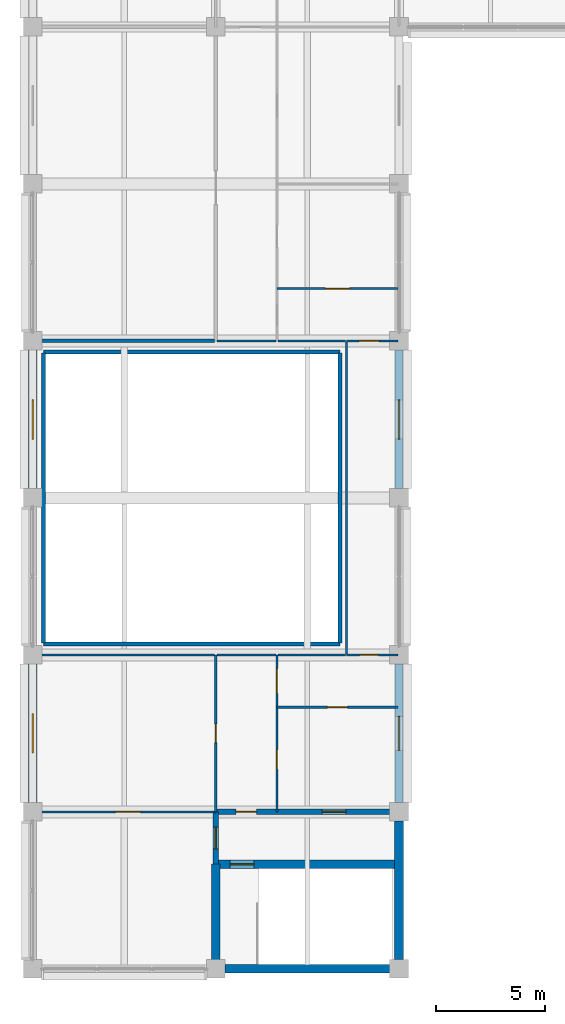
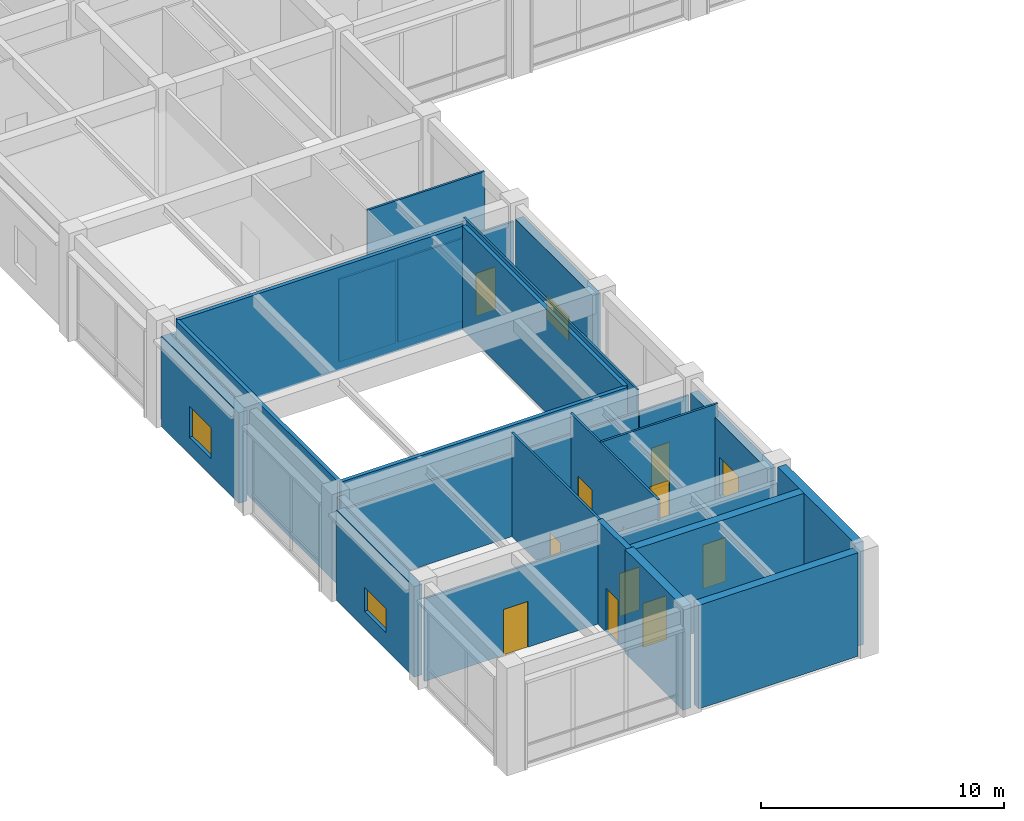
# One storey, part 31 of 58: 28 walls, 12 doors, 4 windows, 16 openings.
"""IFC4 building model written with IfcOpenShell, lengths in metres."""

from ifc_helpers import new_model, si_unit, direction, frame, frame_2d, origin, place, context, subcontext, project, spatial, rectangle, extrude, material, layer, layer_set, type_object, element, fill, save


model = new_model("IFC4")

# Units and contexts
model_context = context("Model", 3, precision=1e-05, world=origin(), true_north=direction((0.0, 1.0)))
body_context = subcontext(model_context, "Body", "Model", "MODEL_VIEW")
ifc_project = project(units=[si_unit("LENGTHUNIT", "METRE"), si_unit("AREAUNIT", "SQUARE_METRE"), si_unit("VOLUMEUNIT", "CUBIC_METRE"), si_unit("PLANEANGLEUNIT", "RADIAN"), si_unit("MASSUNIT", "GRAM", prefix="KILO")], contexts=[model_context])

# Site, building, storey
site_placement = place(None, origin())
site = spatial("IfcSite", under=ifc_project, at=site_placement, CompositionType="ELEMENT")
building_placement = place(site_placement, origin())
building = spatial("IfcBuilding", under=site, at=building_placement, Name="Chengyuan Square Courthouse", CompositionType="ELEMENT")
storey_placement = place(building_placement, frame((0.0, 0.0, 16.199951171875)))
storey = spatial("IfcBuildingStorey", under=building, at=storey_placement, Name="L04", CompositionType="ELEMENT", Elevation=16.199951171875)

# Wall, opening, window
ifc_material_1 = material(Name="Concrete C40", Category="concrete")
ifc_layer_1 = layer(ifc_material_1, 0.3798828125)
ifc_layer_set_1 = layer_set([ifc_layer_1], Name="Concrete C40")
wall_type_1 = type_object("IfcWallType", Name="WL-EW1", PredefinedType="STANDARD", material=ifc_layer_set_1)
wall_1_placement = place(storey_placement, frame((0.0, 43.6201171875, 0.0), z_axis=(0.0, 0.0, 1.0), x_axis=(0.0, 1.0, 0.0)))
wall_1 = element("IfcWall", 1, at=wall_1_placement, inside=storey, type_object=wall_type_1, Name="Exterior Wall WL-L04-E297", PredefinedType="STANDARD", context=body_context, shape_type="SweptSolid", body=[
    extrude(rectangle(XDim=6.35986328125, YDim=0.3798828125, at=frame_2d((3.179931640625, 0.0))), origin(), (0.0, 0.0, 1.0), 4.550048828125),
])
opening_1_placement = place(wall_1_placement, frame((2.280029296875, 0.0, 0.85009765625)))
opening_1 = element("IfcOpeningElement", 2, at=opening_1_placement, cuts=wall_1, Name="Opening WN-083", PredefinedType="OPENING", context=body_context, shape_type="SweptSolid", body=[
    extrude(rectangle(XDim=1.800048828125, YDim=1.199951171875, at=frame_2d((0.89990234375, 0.60009765625))), frame((0.0, 0.201904296875, 0.0), z_axis=(0.0, -1.0, 0.0), x_axis=(1.0, 0.0, 0.0)), (0.0, 0.0, 1.0), 0.40380859375),
])
ifc_material_2 = material(Name="Thermally Broken Aluminium Triple Low-E Window", Category="aluminium")
window_type_1 = type_object("IfcWindowType", Name="WT-31", PartitioningType="SINGLE_PANEL", PredefinedType="WINDOW", material=ifc_material_2)
window_1_placement = place(opening_1_placement, origin())
window_1 = element("IfcWindow", 3, at=window_1_placement, inside=storey, type_object=window_type_1, Name="Facade Window WN-083", OverallHeight=1.199951171875, OverallWidth=1.800048828125, PartitioningType="SINGLE_PANEL", PredefinedType="WINDOW", context=body_context, shape_type="SweptSolid", body=[
    extrude(rectangle(XDim=1.800048828125, YDim=1.199951171875, at=frame_2d((0.89990234375, 0.60009765625))), frame((0.0, 0.030029296875, 0.0), z_axis=(0.0, -1.0, 0.0), x_axis=(1.0, 0.0, 0.0)), (0.0, 0.0, 1.0), 0.06005859375),
])
fill(opening_1, window_1)

wall_2_placement = place(storey_placement, frame((0.0, 58.02001953125, 0.0), z_axis=(0.0, 0.0, 1.0), x_axis=(0.0, 1.0, 0.0)))
wall_2 = element("IfcWall", 4, at=wall_2_placement, inside=storey, type_object=wall_type_1, Name="Exterior Wall WL-L04-E298", PredefinedType="STANDARD", context=body_context, shape_type="SweptSolid", body=[
    extrude(rectangle(XDim=6.35986328125, YDim=0.3798828125, at=frame_2d((3.179931640625, 0.0))), origin(), (0.0, 0.0, 1.0), 4.550048828125),
])
opening_2_placement = place(wall_2_placement, frame((2.280029296875, 0.0, 0.85009765625)))
opening_2 = element("IfcOpeningElement", 5, at=opening_2_placement, cuts=wall_2, Name="Opening WN-084", PredefinedType="OPENING", context=body_context, shape_type="SweptSolid", body=[
    extrude(rectangle(XDim=1.800048828125, YDim=1.56005859375, at=frame_2d((0.89990234375, 0.780029296875))), frame((0.0, 0.201904296875, 0.0), z_axis=(0.0, -1.0, 0.0), x_axis=(1.0, 0.0, 0.0)), (0.0, 0.0, 1.0), 0.40380859375),
])
window_type_2 = type_object("IfcWindowType", Name="WT-33", PartitioningType="SINGLE_PANEL", PredefinedType="WINDOW", material=ifc_material_2)
window_2_placement = place(opening_2_placement, origin())
window_2 = element("IfcWindow", 6, at=window_2_placement, inside=storey, type_object=window_type_2, Name="Facade Window WN-084", OverallHeight=1.56005859375, OverallWidth=1.800048828125, PartitioningType="SINGLE_PANEL", PredefinedType="WINDOW", context=body_context, shape_type="SweptSolid", body=[
    extrude(rectangle(XDim=1.800048828125, YDim=1.56005859375, at=frame_2d((0.89990234375, 0.780029296875))), frame((0.0, 0.030029296875, 0.0), z_axis=(0.0, -1.0, 0.0), x_axis=(1.0, 0.0, 0.0)), (0.0, 0.0, 1.0), 0.06005859375),
])
fill(opening_2, window_2)

wall_3_placement = place(storey_placement, frame((16.800048828125, 43.6201171875, 0.0), z_axis=(0.0, 0.0, 1.0), x_axis=(0.0, 1.0, 0.0)))
wall_3 = element("IfcWall", 7, at=wall_3_placement, inside=storey, type_object=wall_type_1, Name="Exterior Wall WL-L04-E307", PredefinedType="STANDARD", context=body_context, shape_type="SweptSolid", body=[
    extrude(rectangle(XDim=6.35986328125, YDim=0.3798828125, at=frame_2d((3.179931640625, 0.0))), origin(), (0.0, 0.0, 1.0), 4.550048828125),
])
opening_3_placement = place(wall_3_placement, frame((2.405029296875, 0.0, 0.85009765625)))
opening_3 = element("IfcOpeningElement", 8, at=opening_3_placement, cuts=wall_3, Name="Opening WN-091", PredefinedType="OPENING", context=body_context, shape_type="SweptSolid", body=[
    extrude(rectangle(XDim=1.550048828125, YDim=1.919921875, at=frame_2d((0.77490234375, 0.9599609375))), frame((0.0, 0.201904296875, 0.0), z_axis=(0.0, -1.0, 0.0), x_axis=(1.0, 0.0, 0.0)), (0.0, 0.0, 1.0), 0.40380859375),
])
window_type_3 = type_object("IfcWindowType", Name="WT-29", PartitioningType="SINGLE_PANEL", PredefinedType="WINDOW", material=ifc_material_2)
window_3_placement = place(opening_3_placement, origin())
window_3 = element("IfcWindow", 9, at=window_3_placement, inside=storey, type_object=window_type_3, Name="Facade Window WN-091", OverallHeight=1.919921875, OverallWidth=1.550048828125, PartitioningType="SINGLE_PANEL", PredefinedType="WINDOW", context=body_context, shape_type="SweptSolid", body=[
    extrude(rectangle(XDim=1.550048828125, YDim=1.919921875, at=frame_2d((0.77490234375, 0.9599609375))), frame((0.0, 0.030029296875, 0.0), z_axis=(0.0, -1.0, 0.0), x_axis=(1.0, 0.0, 0.0)), (0.0, 0.0, 1.0), 0.06005859375),
])
fill(opening_3, window_3)

wall_4_placement = place(storey_placement, frame((16.800048828125, 58.02001953125, 0.0), z_axis=(0.0, 0.0, 1.0), x_axis=(0.0, 1.0, 0.0)))
wall_4 = element("IfcWall", 10, at=wall_4_placement, inside=storey, type_object=wall_type_1, Name="Exterior Wall WL-L04-E308", PredefinedType="STANDARD", context=body_context, shape_type="SweptSolid", body=[
    extrude(rectangle(XDim=6.35986328125, YDim=0.3798828125, at=frame_2d((3.179931640625, 0.0))), origin(), (0.0, 0.0, 1.0), 4.550048828125),
])
opening_4_placement = place(wall_4_placement, frame((2.280029296875, 0.0, 0.85009765625)))
opening_4 = element("IfcOpeningElement", 11, at=opening_4_placement, cuts=wall_4, Name="Opening WN-092", PredefinedType="OPENING", context=body_context, shape_type="SweptSolid", body=[
    extrude(rectangle(XDim=1.800048828125, YDim=1.199951171875, at=frame_2d((0.89990234375, 0.60009765625))), frame((0.0, 0.201904296875, 0.0), z_axis=(0.0, -1.0, 0.0), x_axis=(1.0, 0.0, 0.0)), (0.0, 0.0, 1.0), 0.40380859375),
])
window_4_placement = place(opening_4_placement, origin())
window_4 = element("IfcWindow", 12, at=window_4_placement, inside=storey, type_object=window_type_1, Name="Facade Window WN-092", OverallHeight=1.199951171875, OverallWidth=1.800048828125, PartitioningType="SINGLE_PANEL", PredefinedType="WINDOW", context=body_context, shape_type="SweptSolid", body=[
    extrude(rectangle(XDim=1.800048828125, YDim=1.199951171875, at=frame_2d((0.89990234375, 0.60009765625))), frame((0.0, 0.030029296875, 0.0), z_axis=(0.0, -1.0, 0.0), x_axis=(1.0, 0.0, 0.0)), (0.0, 0.0, 1.0), 0.06005859375),
])
fill(opening_4, window_4)

# Wall, openings, doors
ifc_layer_2 = layer(ifc_material_1, 0.25)
ifc_layer_set_2 = layer_set([ifc_layer_2], Name="Concrete C40")
wall_type_2 = type_object("IfcWallType", Name="WL-FW1", PredefinedType="STANDARD", material=ifc_layer_set_2)
wall_5_placement = place(storey_placement, frame((8.39990234375, 43.199951171875, 0.0), z_axis=(0.0, 0.0, 1.0), x_axis=(1.0, 0.0, 0.0)))
wall_5 = element("IfcWall", 13, at=wall_5_placement, inside=storey, type_object=wall_type_2, Name="Interior Wall WL-L04-I1740", PredefinedType="STANDARD", context=body_context, shape_type="SweptSolid", body=[
    extrude(rectangle(XDim=8.360107421875, YDim=0.25, at=frame_2d((4.18017578125, 0.0))), origin(), (0.0, 0.0, 1.0), 4.150146484375),
])
opening_5_placement = place(wall_5_placement, frame((0.925048828125, 0.0, 0.0)))
opening_5 = element("IfcOpeningElement", 14, at=opening_5_placement, cuts=wall_5, Name="Opening DR-1651", PredefinedType="OPENING", context=body_context, shape_type="SweptSolid", body=[
    extrude(rectangle(XDim=0.949951171875, YDim=2.14990234375, at=frame_2d((0.47509765625, 1.074951171875))), frame((0.0, 0.136962890625, 0.0), z_axis=(0.0, -1.0, 0.0), x_axis=(1.0, 0.0, 0.0)), (0.0, 0.0, 1.0), 0.27392578125),
])
opening_6_placement = place(wall_5_placement, frame((4.87744140625, 0.0, 0.0)))
opening_6 = element("IfcOpeningElement", 15, at=opening_6_placement, cuts=wall_5, Name="Opening DR-1652", PredefinedType="OPENING", context=body_context, shape_type="SweptSolid", body=[
    extrude(rectangle(XDim=1.10009765625, YDim=2.199951171875, at=frame_2d((0.550048828125, 1.10009765625))), frame((0.0, 0.136962890625, 0.0), z_axis=(0.0, -1.0, 0.0), x_axis=(1.0, 0.0, 0.0)), (0.0, 0.0, 1.0), 0.27392578125),
])
ifc_material_3 = material(Name="Steel Q235B Fire Door", Category="steel")
door_type_1 = type_object("IfcDoorType", Name="DT-10", OperationType="NOTDEFINED", PredefinedType="DOOR", material=ifc_material_3)
door_1_placement = place(opening_6_placement, origin())
door_1 = element("IfcDoor", 16, at=door_1_placement, inside=storey, type_object=door_type_1, Name="Interior Door DR-1652", OperationType="SINGLE_SWING_RIGHT", OverallHeight=2.199951171875, OverallWidth=1.10009765625, PredefinedType="DOOR", context=body_context, shape_type="SweptSolid", body=[
    extrude(rectangle(XDim=1.10009765625, YDim=2.199951171875, at=frame_2d((0.550048828125, 1.10009765625))), frame((0.0, 0.02490234375, 0.0), z_axis=(0.0, -1.0, 0.0), x_axis=(1.0, 0.0, 0.0)), (0.0, 0.0, 1.0), 0.050048828125),
])
fill(opening_6, door_1)
door_type_2 = type_object("IfcDoorType", Name="DT-12", OperationType="NOTDEFINED", PredefinedType="DOOR", material=ifc_material_3)
door_2_placement = place(opening_5_placement, origin())
door_2 = element("IfcDoor", 17, at=door_2_placement, inside=storey, type_object=door_type_2, Name="Interior Door DR-1651", OperationType="SINGLE_SWING_LEFT", OverallHeight=2.14990234375, OverallWidth=0.949951171875, PredefinedType="DOOR", context=body_context, shape_type="SweptSolid", body=[
    extrude(rectangle(XDim=0.949951171875, YDim=2.14990234375, at=frame_2d((0.47509765625, 1.074951171875))), frame((0.0, 0.02490234375, 0.0), z_axis=(0.0, -1.0, 0.0), x_axis=(1.0, 0.0, 0.0)), (0.0, 0.0, 1.0), 0.050048828125),
])
fill(opening_5, door_2)

# Wall, opening, door
wall_6_placement = place(storey_placement, frame((8.39990234375, 40.800048828125, 0.0), z_axis=(0.0, 0.0, 1.0), x_axis=(0.0, 1.0, 0.0)))
wall_6 = element("IfcWall", 18, at=wall_6_placement, inside=storey, type_object=wall_type_2, Name="Interior Wall WL-L04-I1916", PredefinedType="STANDARD", context=body_context, shape_type="SweptSolid", body=[
    extrude(rectangle(XDim=2.39990234375, YDim=0.25, at=frame_2d((1.199951171875, 0.0))), origin(), (0.0, 0.0, 1.0), 5.199951171875),
])
opening_7_placement = place(wall_6_placement, frame((0.699951171875, 0.0, 0.0)))
opening_7 = element("IfcOpeningElement", 19, at=opening_7_placement, cuts=wall_6, Name="Opening DR-1653", PredefinedType="OPENING", context=body_context, shape_type="SweptSolid", body=[
    extrude(rectangle(XDim=1.0, YDim=2.199951171875, at=frame_2d((0.5, 1.10009765625))), frame((0.0, 0.136962890625, 0.0), z_axis=(0.0, -1.0, 0.0), x_axis=(1.0, 0.0, 0.0)), (0.0, 0.0, 1.0), 0.27392578125),
])
door_type_3 = type_object("IfcDoorType", Name="DT-11", OperationType="NOTDEFINED", PredefinedType="DOOR", material=ifc_material_3)
door_3_placement = place(opening_7_placement, origin())
door_3 = element("IfcDoor", 20, at=door_3_placement, inside=storey, type_object=door_type_3, Name="Interior Door DR-1653", OperationType="SINGLE_SWING_LEFT", OverallHeight=2.199951171875, OverallWidth=1.0, PredefinedType="DOOR", context=body_context, shape_type="SweptSolid", body=[
    extrude(rectangle(XDim=1.0, YDim=2.199951171875, at=frame_2d((0.5, 1.10009765625))), frame((0.0, 0.02490234375, 0.0), z_axis=(0.0, -1.0, 0.0), x_axis=(1.0, 0.0, 0.0)), (0.0, 0.0, 1.0), 0.050048828125),
])
fill(opening_7, door_3)

# Walls
ifc_material_4 = material(Name="Double-Stud Acoustic Gypsum Courtroom Partition")
ifc_layer_3 = layer(ifc_material_4, 0.179931640625)
ifc_layer_set_3 = layer_set([ifc_layer_3], Name="Double-Stud Acoustic Gypsum Courtroom Partition")
wall_type_3 = type_object("IfcWallType", Name="WL-PT1", PredefinedType="STANDARD", material=ifc_layer_set_3)
for number, where, z_axis, x_axis, name in (
    (21, (0.5, 50.89990234375, 0.0), (0.0, 0.0, 1.0), (1.0, 0.0, 0.0), "Interior Wall WL-L04-I1753"),
    (22, (0.5, 64.300048828125, 0.0), (0.0, 0.0, 1.0), (1.0, 0.0, 0.0), "Interior Wall WL-L04-I1755"),
):
    element("IfcWall", number, at=place(storey_placement, frame(where, z_axis=z_axis, x_axis=x_axis)), inside=storey, type_object=wall_type_3, Name=name, PredefinedType="STANDARD", context=body_context, shape_type="SweptSolid", body=[
        extrude(rectangle(XDim=13.60009765625, YDim=0.179931640625, at=frame_2d((6.800048828125, 0.0))), origin(), (0.0, 0.0, 1.0), 5.199951171875),
    ])
for number, where, z_axis, x_axis, name in (
    (23, (0.5, 50.949951171875, 0.0), (0.0, 0.0, 1.0), (0.0, 1.0, 0.0), "Interior Wall WL-L04-I1910"),
    (24, (14.10009765625, 50.949951171875, 0.0), (0.0, 0.0, 1.0), (0.0, 1.0, 0.0), "Interior Wall WL-L04-I1925"),
):
    element("IfcWall", number, at=place(storey_placement, frame(where, z_axis=z_axis, x_axis=x_axis)), inside=storey, type_object=wall_type_3, Name=name, PredefinedType="STANDARD", context=body_context, shape_type="SweptSolid", body=[
        extrude(rectangle(XDim=13.300048828125, YDim=0.179931640625, at=frame_2d((6.64990234375, 0.0))), origin(), (0.0, 0.0, 1.0), 5.199951171875),
    ])
ifc_material_5 = material(Name="Acoustic Timber-Lined Gypsum Partition", Category="wood")
ifc_layer_4 = layer(ifc_material_5, 0.159912109375)
ifc_layer_set_4 = layer_set([ifc_layer_4], Name="Acoustic Timber-Lined Gypsum Partition")
wall_type_4 = type_object("IfcWallType", Name="WL-PT2", PredefinedType="STANDARD", material=ifc_layer_set_4)
wall_7_placement = place(storey_placement, frame((0.050048828125, 64.800048828125, 0.0), z_axis=(0.0, 0.0, 1.0), x_axis=(1.0, 0.0, 0.0)))
element("IfcWall", 25, at=wall_7_placement, inside=storey, type_object=wall_type_4, Name="Interior Wall WL-L04-I1757", PredefinedType="STANDARD", context=body_context, shape_type="SweptSolid", body=[
    extrude(rectangle(XDim=8.300048828125, YDim=0.159912109375, at=frame_2d((4.14990234375, 0.0))), origin(), (0.0, 0.0, 1.0), 4.150146484375),
])

# Wall, opening, door
ifc_material_6 = material(Name="Gypsum Plasterboard Acoustic Stud Partition")
ifc_layer_5 = layer(ifc_material_6, 0.10009765625)
ifc_layer_set_5 = layer_set([ifc_layer_5], Name="Gypsum Plasterboard Acoustic Stud Partition")
wall_type_5 = type_object("IfcWallType", Name="WL-PT6", PredefinedType="STANDARD", material=ifc_layer_set_5)
wall_8_placement = place(storey_placement, frame((0.0400390625, 43.199951171875, 0.0), z_axis=(0.0, 0.0, 1.0), x_axis=(1.0, 0.0, 0.0)))
wall_8 = element("IfcWall", 26, at=wall_8_placement, inside=storey, type_object=wall_type_5, Name="Interior Wall WL-L04-I1739", PredefinedType="STANDARD", context=body_context, shape_type="SweptSolid", body=[
    extrude(rectangle(XDim=8.35986328125, YDim=0.10009765625, at=frame_2d((4.179931640625, 0.0))), origin(), (0.0, 0.0, 1.0), 4.150146484375),
])
opening_8_placement = place(wall_8_placement, frame((3.75244140625, 0.0, 0.0)))
opening_8 = element("IfcOpeningElement", 27, at=opening_8_placement, cuts=wall_8, Name="Opening DR-1908", PredefinedType="OPENING", context=body_context, shape_type="SweptSolid", body=[
    extrude(rectangle(XDim=1.159912109375, YDim=2.300048828125, at=frame_2d((0.580078125, 1.14990234375))), frame((0.0, 0.06201171875, 0.0), z_axis=(0.0, -1.0, 0.0), x_axis=(1.0, 0.0, 0.0)), (0.0, 0.0, 1.0), 0.1240234375),
])
ifc_material_7 = material(Name="Acoustic Solid-Core Timber Door", Category="wood")
door_type_4 = type_object("IfcDoorType", Name="DT-35", OperationType="NOTDEFINED", PredefinedType="DOOR", material=ifc_material_7)
door_4_placement = place(opening_8_placement, origin())
door_4 = element("IfcDoor", 28, at=door_4_placement, inside=storey, type_object=door_type_4, Name="Interior Door DR-1908", OperationType="SINGLE_SWING_RIGHT", OverallHeight=2.300048828125, OverallWidth=1.159912109375, PredefinedType="DOOR", context=body_context, shape_type="SweptSolid", body=[
    extrude(rectangle(XDim=1.159912109375, YDim=2.300048828125, at=frame_2d((0.580078125, 1.14990234375))), frame((0.0, 0.02490234375, 0.0), z_axis=(0.0, -1.0, 0.0), x_axis=(1.0, 0.0, 0.0)), (0.0, 0.0, 1.0), 0.050048828125),
])
fill(opening_8, door_4)

wall_9_placement = place(storey_placement, frame((11.199951171875, 48.0, 0.0), z_axis=(0.0, 0.0, 1.0), x_axis=(1.0, 0.0, 0.0)))
wall_9 = element("IfcWall", 29, at=wall_9_placement, inside=storey, type_object=wall_type_5, Name="Interior Wall WL-L04-I1743", PredefinedType="STANDARD", context=body_context, shape_type="SweptSolid", body=[
    extrude(rectangle(XDim=5.56005859375, YDim=0.10009765625, at=frame_2d((2.780029296875, 0.0))), origin(), (0.0, 0.0, 1.0), 5.199951171875),
])
opening_9_placement = place(wall_9_placement, frame((2.320068359375, 0.0, 0.0)))
opening_9 = element("IfcOpeningElement", 30, at=opening_9_placement, cuts=wall_9, Name="Opening DR-1902", PredefinedType="OPENING", context=body_context, shape_type="SweptSolid", body=[
    extrude(rectangle(XDim=0.919921875, YDim=2.14990234375, at=frame_2d((0.4599609375, 1.074951171875))), frame((0.0, 0.06201171875, 0.0), z_axis=(0.0, -1.0, 0.0), x_axis=(1.0, 0.0, 0.0)), (0.0, 0.0, 1.0), 0.1240234375),
])
door_type_5 = type_object("IfcDoorType", Name="DT-29", OperationType="NOTDEFINED", PredefinedType="DOOR", material=ifc_material_7)
door_5_placement = place(opening_9_placement, origin())
door_5 = element("IfcDoor", 31, at=door_5_placement, inside=storey, type_object=door_type_5, Name="Interior Door DR-1902", OperationType="SINGLE_SWING_LEFT", OverallHeight=2.14990234375, OverallWidth=0.919921875, PredefinedType="DOOR", context=body_context, shape_type="SweptSolid", body=[
    extrude(rectangle(XDim=0.919921875, YDim=2.14990234375, at=frame_2d((0.4599609375, 1.074951171875))), frame((0.0, 0.02490234375, 0.0), z_axis=(0.0, -1.0, 0.0), x_axis=(1.0, 0.0, 0.0)), (0.0, 0.0, 1.0), 0.050048828125),
])
fill(opening_9, door_5)

# Walls
wall_10_placement = place(storey_placement, frame((0.050048828125, 50.39990234375, 0.0), z_axis=(0.0, 0.0, 1.0), x_axis=(1.0, 0.0, 0.0)))
element("IfcWall", 32, at=wall_10_placement, inside=storey, type_object=wall_type_5, Name="Interior Wall WL-L04-I1745", PredefinedType="STANDARD", context=body_context, shape_type="SweptSolid", body=[
    extrude(rectangle(XDim=8.300048828125, YDim=0.10009765625, at=frame_2d((4.14990234375, 0.0))), origin(), (0.0, 0.0, 1.0), 4.150146484375),
])
wall_11_placement = place(storey_placement, frame((8.449951171875, 50.39990234375, 0.0), z_axis=(0.0, 0.0, 1.0), x_axis=(1.0, 0.0, 0.0)))
element("IfcWall", 33, at=wall_11_placement, inside=storey, type_object=wall_type_5, Name="Interior Wall WL-L04-I1746", PredefinedType="STANDARD", context=body_context, shape_type="SweptSolid", body=[
    extrude(rectangle(XDim=2.699951171875, YDim=0.10009765625, at=frame_2d((1.35009765625, 0.0))), origin(), (0.0, 0.0, 1.0), 4.150146484375),
])
wall_12_placement = place(storey_placement, frame((11.25, 50.39990234375, 0.0), z_axis=(0.0, 0.0, 1.0), x_axis=(1.0, 0.0, 0.0)))
element("IfcWall", 34, at=wall_12_placement, inside=storey, type_object=wall_type_5, Name="Interior Wall WL-L04-I1747", PredefinedType="STANDARD", context=body_context, shape_type="SweptSolid", body=[
    extrude(rectangle(XDim=3.10009765625, YDim=0.10009765625, at=frame_2d((1.550048828125, 0.0))), origin(), (0.0, 0.0, 1.0), 4.150146484375),
])

# Wall, opening, door
wall_13_placement = place(storey_placement, frame((14.39990234375, 50.39990234375, 0.0), z_axis=(0.0, 0.0, 1.0), x_axis=(1.0, 0.0, 0.0)))
wall_13 = element("IfcWall", 35, at=wall_13_placement, inside=storey, type_object=wall_type_5, Name="Interior Wall WL-L04-I1748", PredefinedType="STANDARD", context=body_context, shape_type="SweptSolid", body=[
    extrude(rectangle(XDim=2.360107421875, YDim=0.10009765625, at=frame_2d((1.18017578125, 0.0))), origin(), (0.0, 0.0, 1.0), 4.150146484375),
])
opening_10_placement = place(wall_13_placement, frame((0.597412109375, 0.0, 0.0)))
opening_10 = element("IfcOpeningElement", 36, at=opening_10_placement, cuts=wall_13, Name="Opening DR-1663", PredefinedType="OPENING", context=body_context, shape_type="SweptSolid", body=[
    extrude(rectangle(XDim=0.860107421875, YDim=2.10009765625, at=frame_2d((0.43017578125, 1.050048828125))), frame((0.0, 0.06201171875, 0.0), z_axis=(0.0, -1.0, 0.0), x_axis=(1.0, 0.0, 0.0)), (0.0, 0.0, 1.0), 0.1240234375),
])
door_type_6 = type_object("IfcDoorType", Name="DT-28", OperationType="NOTDEFINED", PredefinedType="DOOR", material=ifc_material_7)
door_6_placement = place(opening_10_placement, origin())
door_6 = element("IfcDoor", 37, at=door_6_placement, inside=storey, type_object=door_type_6, Name="Interior Door DR-1663", OperationType="SINGLE_SWING_LEFT", OverallHeight=2.10009765625, OverallWidth=0.860107421875, PredefinedType="DOOR", context=body_context, shape_type="SweptSolid", body=[
    extrude(rectangle(XDim=0.860107421875, YDim=2.10009765625, at=frame_2d((0.43017578125, 1.050048828125))), frame((0.0, 0.02490234375, 0.0), z_axis=(0.0, -1.0, 0.0), x_axis=(1.0, 0.0, 0.0)), (0.0, 0.0, 1.0), 0.050048828125),
])
fill(opening_10, door_6)

# Walls
wall_14_placement = place(storey_placement, frame((8.449951171875, 64.800048828125, 0.0), z_axis=(0.0, 0.0, 1.0), x_axis=(1.0, 0.0, 0.0)))
element("IfcWall", 38, at=wall_14_placement, inside=storey, type_object=wall_type_5, Name="Interior Wall WL-L04-I1758", PredefinedType="STANDARD", context=body_context, shape_type="SweptSolid", body=[
    extrude(rectangle(XDim=2.699951171875, YDim=0.10009765625, at=frame_2d((1.35009765625, 0.0))), origin(), (0.0, 0.0, 1.0), 4.150146484375),
])
wall_15_placement = place(storey_placement, frame((11.25, 64.800048828125, 0.0), z_axis=(0.0, 0.0, 1.0), x_axis=(1.0, 0.0, 0.0)))
element("IfcWall", 39, at=wall_15_placement, inside=storey, type_object=wall_type_5, Name="Interior Wall WL-L04-I1759", PredefinedType="STANDARD", context=body_context, shape_type="SweptSolid", body=[
    extrude(rectangle(XDim=3.10009765625, YDim=0.10009765625, at=frame_2d((1.550048828125, 0.0))), origin(), (0.0, 0.0, 1.0), 4.150146484375),
])

# Wall, opening, door
wall_16_placement = place(storey_placement, frame((14.39990234375, 64.800048828125, 0.0), z_axis=(0.0, 0.0, 1.0), x_axis=(1.0, 0.0, 0.0)))
wall_16 = element("IfcWall", 40, at=wall_16_placement, inside=storey, type_object=wall_type_5, Name="Interior Wall WL-L04-I1760", PredefinedType="STANDARD", context=body_context, shape_type="SweptSolid", body=[
    extrude(rectangle(XDim=2.360107421875, YDim=0.10009765625, at=frame_2d((1.18017578125, 0.0))), origin(), (0.0, 0.0, 1.0), 4.150146484375),
])
opening_11_placement = place(wall_16_placement, frame((0.5673828125, 0.0, 0.0)))
opening_11 = element("IfcOpeningElement", 41, at=opening_11_placement, cuts=wall_16, Name="Opening DR-1664", PredefinedType="OPENING", context=body_context, shape_type="SweptSolid", body=[
    extrude(rectangle(XDim=0.919921875, YDim=2.14990234375, at=frame_2d((0.4599609375, 1.074951171875))), frame((0.0, 0.06201171875, 0.0), z_axis=(0.0, -1.0, 0.0), x_axis=(1.0, 0.0, 0.0)), (0.0, 0.0, 1.0), 0.1240234375),
])
door_7_placement = place(opening_11_placement, origin())
door_7 = element("IfcDoor", 42, at=door_7_placement, inside=storey, type_object=door_type_5, Name="Interior Door DR-1664", OperationType="SINGLE_SWING_RIGHT", OverallHeight=2.14990234375, OverallWidth=0.919921875, PredefinedType="DOOR", context=body_context, shape_type="SweptSolid", body=[
    extrude(rectangle(XDim=0.919921875, YDim=2.14990234375, at=frame_2d((0.4599609375, 1.074951171875))), frame((0.0, 0.02490234375, 0.0), z_axis=(0.0, -1.0, 0.0), x_axis=(1.0, 0.0, 0.0)), (0.0, 0.0, 1.0), 0.050048828125),
])
fill(opening_11, door_7)

wall_17_placement = place(storey_placement, frame((11.199951171875, 67.199951171875, 0.0), z_axis=(0.0, 0.0, 1.0), x_axis=(1.0, 0.0, 0.0)))
wall_17 = element("IfcWall", 43, at=wall_17_placement, inside=storey, type_object=wall_type_5, Name="Interior Wall WL-L04-I1765", PredefinedType="STANDARD", context=body_context, shape_type="SweptSolid", body=[
    extrude(rectangle(XDim=5.56005859375, YDim=0.10009765625, at=frame_2d((2.780029296875, 0.0))), origin(), (0.0, 0.0, 1.0), 5.199951171875),
])
opening_12_placement = place(wall_17_placement, frame((2.219970703125, 0.0, 0.0)))
opening_12 = element("IfcOpeningElement", 44, at=opening_12_placement, cuts=wall_17, Name="Opening DR-1907", PredefinedType="OPENING", context=body_context, shape_type="SweptSolid", body=[
    extrude(rectangle(XDim=1.1201171875, YDim=2.25, at=frame_2d((0.56005859375, 1.125))), frame((0.0, 0.06201171875, 0.0), z_axis=(0.0, -1.0, 0.0), x_axis=(1.0, 0.0, 0.0)), (0.0, 0.0, 1.0), 0.1240234375),
])
door_type_7 = type_object("IfcDoorType", Name="DT-34", OperationType="NOTDEFINED", PredefinedType="DOOR", material=ifc_material_7)
door_8_placement = place(opening_12_placement, origin())
door_8 = element("IfcDoor", 45, at=door_8_placement, inside=storey, type_object=door_type_7, Name="Interior Door DR-1907", OperationType="SINGLE_SWING_LEFT", OverallHeight=2.25, OverallWidth=1.1201171875, PredefinedType="DOOR", context=body_context, shape_type="SweptSolid", body=[
    extrude(rectangle(XDim=1.1201171875, YDim=2.25, at=frame_2d((0.56005859375, 1.125))), frame((0.0, 0.02490234375, 0.0), z_axis=(0.0, -1.0, 0.0), x_axis=(1.0, 0.0, 0.0)), (0.0, 0.0, 1.0), 0.050048828125),
])
fill(opening_12, door_8)

wall_18_placement = place(storey_placement, frame((8.39990234375, 43.199951171875, 0.0), z_axis=(0.0, 0.0, 1.0), x_axis=(0.0, 1.0, 0.0)))
wall_18 = element("IfcWall", 46, at=wall_18_placement, inside=storey, type_object=wall_type_5, Name="Interior Wall WL-L04-I1917", PredefinedType="STANDARD", context=body_context, shape_type="SweptSolid", body=[
    extrude(rectangle(XDim=7.199951171875, YDim=0.10009765625, at=frame_2d((3.60009765625, 0.0))), origin(), (0.0, 0.0, 1.0), 5.199951171875),
])
opening_13_placement = place(wall_18_placement, frame((3.169921875, 0.0, 0.0)))
opening_13 = element("IfcOpeningElement", 47, at=opening_13_placement, cuts=wall_18, Name="Opening DR-1901", PredefinedType="OPENING", context=body_context, shape_type="SweptSolid", body=[
    extrude(rectangle(XDim=0.860107421875, YDim=2.10009765625, at=frame_2d((0.43017578125, 1.050048828125))), frame((0.0, 0.06201171875, 0.0), z_axis=(0.0, -1.0, 0.0), x_axis=(1.0, 0.0, 0.0)), (0.0, 0.0, 1.0), 0.1240234375),
])
door_9_placement = place(opening_13_placement, origin())
door_9 = element("IfcDoor", 48, at=door_9_placement, inside=storey, type_object=door_type_6, Name="Interior Door DR-1901", OperationType="SINGLE_SWING_RIGHT", OverallHeight=2.10009765625, OverallWidth=0.860107421875, PredefinedType="DOOR", context=body_context, shape_type="SweptSolid", body=[
    extrude(rectangle(XDim=0.860107421875, YDim=2.10009765625, at=frame_2d((0.43017578125, 1.050048828125))), frame((0.0, 0.02490234375, 0.0), z_axis=(0.0, -1.0, 0.0), x_axis=(1.0, 0.0, 0.0)), (0.0, 0.0, 1.0), 0.050048828125),
])
fill(opening_13, door_9)

# Wall, openings, doors
wall_19_placement = place(storey_placement, frame((11.199951171875, 43.199951171875, 0.0), z_axis=(0.0, 0.0, 1.0), x_axis=(0.0, 1.0, 0.0)))
wall_19 = element("IfcWall", 49, at=wall_19_placement, inside=storey, type_object=wall_type_5, Name="Interior Wall WL-L04-I1923", PredefinedType="STANDARD", context=body_context, shape_type="SweptSolid", body=[
    extrude(rectangle(XDim=7.199951171875, YDim=0.10009765625, at=frame_2d((3.60009765625, 0.0))), origin(), (0.0, 0.0, 1.0), 5.199951171875),
])
opening_14_placement = place(wall_19_placement, frame((5.429931640625, 0.0, 0.0)))
opening_14 = element("IfcOpeningElement", 50, at=opening_14_placement, cuts=wall_19, Name="Opening DR-1899", PredefinedType="OPENING", context=body_context, shape_type="SweptSolid", body=[
    extrude(rectangle(XDim=1.139892578125, YDim=2.39990234375, at=frame_2d((0.56982421875, 1.199951171875))), frame((0.0, 0.06201171875, 0.0), z_axis=(0.0, -1.0, 0.0), x_axis=(1.0, 0.0, 0.0)), (0.0, 0.0, 1.0), 0.1240234375),
])
opening_15_placement = place(wall_19_placement, frame((1.949951171875, 0.0, 0.0)))
opening_15 = element("IfcOpeningElement", 51, at=opening_15_placement, cuts=wall_19, Name="Opening DR-1900", PredefinedType="OPENING", context=body_context, shape_type="SweptSolid", body=[
    extrude(rectangle(XDim=0.89990234375, YDim=2.14990234375, at=frame_2d((0.449951171875, 1.074951171875))), frame((0.0, 0.06201171875, 0.0), z_axis=(0.0, -1.0, 0.0), x_axis=(1.0, 0.0, 0.0)), (0.0, 0.0, 1.0), 0.1240234375),
])
door_type_8 = type_object("IfcDoorType", Name="DT-27", OperationType="NOTDEFINED", PredefinedType="DOOR", material=ifc_material_7)
door_10_placement = place(opening_15_placement, origin())
door_10 = element("IfcDoor", 52, at=door_10_placement, inside=storey, type_object=door_type_8, Name="Interior Door DR-1900", OperationType="SINGLE_SWING_LEFT", OverallHeight=2.14990234375, OverallWidth=0.89990234375, PredefinedType="DOOR", context=body_context, shape_type="SweptSolid", body=[
    extrude(rectangle(XDim=0.89990234375, YDim=2.14990234375, at=frame_2d((0.449951171875, 1.074951171875))), frame((0.0, 0.02490234375, 0.0), z_axis=(0.0, -1.0, 0.0), x_axis=(1.0, 0.0, 0.0)), (0.0, 0.0, 1.0), 0.050048828125),
])
fill(opening_15, door_10)
door_type_9 = type_object("IfcDoorType", Name="DT-43", OperationType="NOTDEFINED", PredefinedType="DOOR", material=ifc_material_7)
door_11_placement = place(opening_14_placement, origin())
door_11 = element("IfcDoor", 53, at=door_11_placement, inside=storey, type_object=door_type_9, Name="Interior Door DR-1899", OperationType="SINGLE_SWING_RIGHT", OverallHeight=2.39990234375, OverallWidth=1.139892578125, PredefinedType="DOOR", context=body_context, shape_type="SweptSolid", body=[
    extrude(rectangle(XDim=1.139892578125, YDim=2.39990234375, at=frame_2d((0.56982421875, 1.199951171875))), frame((0.0, 0.02490234375, 0.0), z_axis=(0.0, -1.0, 0.0), x_axis=(1.0, 0.0, 0.0)), (0.0, 0.0, 1.0), 0.050048828125),
])
fill(opening_14, door_11)

# Walls
wall_20_placement = place(storey_placement, frame((14.39990234375, 50.449951171875, 0.0), z_axis=(0.0, 0.0, 1.0), x_axis=(0.0, 1.0, 0.0)))
element("IfcWall", 54, at=wall_20_placement, inside=storey, type_object=wall_type_5, Name="Interior Wall WL-L04-I1926", PredefinedType="STANDARD", context=body_context, shape_type="SweptSolid", body=[
    extrude(rectangle(XDim=14.300048828125, YDim=0.10009765625, at=frame_2d((7.14990234375, 0.0))), origin(), (0.0, 0.0, 1.0), 5.199951171875),
])
ifc_material_8 = material(Name="Concrete C50", Category="concrete")
ifc_layer_6 = layer(ifc_material_8, 0.39990234375)
ifc_layer_set_6 = layer_set([ifc_layer_6], Name="Concrete C50")
wall_type_6 = type_object("IfcWallType", Name="WL-SW1", PredefinedType="SHEAR", material=ifc_layer_set_6)
wall_21_placement = place(storey_placement, frame((8.820068359375, 36.0, 0.0), z_axis=(0.0, 0.0, 1.0), x_axis=(1.0, 0.0, 0.0)))
element("IfcWall", 55, at=wall_21_placement, inside=storey, type_object=wall_type_6, Name="Exterior Wall WL-L04-E305", PredefinedType="SHEAR", context=body_context, shape_type="SweptSolid", body=[
    extrude(rectangle(XDim=7.559814453125, YDim=0.39990234375, at=frame_2d((3.77978515625, 0.0))), origin(), (0.0, 0.0, 1.0), 5.199951171875),
])
wall_22_placement = place(storey_placement, frame((16.800048828125, 36.419921875, 0.0), z_axis=(0.0, 0.0, 1.0), x_axis=(0.0, 1.0, 0.0)))
element("IfcWall", 56, at=wall_22_placement, inside=storey, type_object=wall_type_6, Name="Exterior Wall WL-L04-E306", PredefinedType="SHEAR", context=body_context, shape_type="SweptSolid", body=[
    extrude(rectangle(XDim=6.360107421875, YDim=0.39990234375, at=frame_2d((3.18017578125, 0.0))), origin(), (0.0, 0.0, 1.0), 5.199951171875),
])

# Wall, opening, door
wall_23_placement = place(storey_placement, frame((8.39990234375, 40.800048828125, 0.0), z_axis=(0.0, 0.0, 1.0), x_axis=(1.0, 0.0, 0.0)))
wall_23 = element("IfcWall", 57, at=wall_23_placement, inside=storey, type_object=wall_type_6, Name="Interior Wall WL-L04-I1737", PredefinedType="SHEAR", context=body_context, shape_type="SweptSolid", body=[
    extrude(rectangle(XDim=8.360107421875, YDim=0.39990234375, at=frame_2d((4.18017578125, 0.0))), origin(), (0.0, 0.0, 1.0), 5.199951171875),
])
opening_16_placement = place(wall_23_placement, frame((0.64990234375, 0.0, 0.0)))
opening_16 = element("IfcOpeningElement", 58, at=opening_16_placement, cuts=wall_23, Name="Opening DR-1629", PredefinedType="OPENING", context=body_context, shape_type="SweptSolid", body=[
    extrude(rectangle(XDim=1.10009765625, YDim=2.199951171875, at=frame_2d((0.550048828125, 1.10009765625))), frame((0.0, 0.2119140625, 0.0), z_axis=(0.0, -1.0, 0.0), x_axis=(1.0, 0.0, 0.0)), (0.0, 0.0, 1.0), 0.423828125),
])
door_12_placement = place(opening_16_placement, frame((1.10009765625, 0.0, 0.0), z_axis=(0.0, 0.0, 1.0), x_axis=(-1.0, 0.0, 0.0)))
door_12 = element("IfcDoor", 59, at=door_12_placement, inside=storey, type_object=door_type_1, Name="Smoke-Proof Stairwell Fire Door ST-7 DR-1629", OperationType="SINGLE_SWING_LEFT", OverallHeight=2.199951171875, OverallWidth=1.10009765625, PredefinedType="DOOR", context=body_context, shape_type="SweptSolid", body=[
    extrude(rectangle(XDim=1.10009765625, YDim=2.199951171875, at=frame_2d((0.550048828125, 1.10009765625))), frame((0.0, 0.02490234375, 0.0), z_axis=(0.0, -1.0, 0.0), x_axis=(1.0, 0.0, 0.0)), (0.0, 0.0, 1.0), 0.050048828125),
])
fill(opening_16, door_12)

# Wall
wall_24_placement = place(storey_placement, frame((8.39990234375, 36.0400390625, 0.0), z_axis=(0.0, 0.0, 1.0), x_axis=(0.0, 1.0, 0.0)))
element("IfcWall", 60, at=wall_24_placement, inside=storey, type_object=wall_type_6, Name="Interior Wall WL-L04-I1915", PredefinedType="SHEAR", context=body_context, shape_type="SweptSolid", body=[
    extrude(rectangle(XDim=4.760009765625, YDim=0.39990234375, at=frame_2d((2.3798828125, 0.0))), origin(), (0.0, 0.0, 1.0), 5.199951171875),
])

save(model, "model.ifc")
